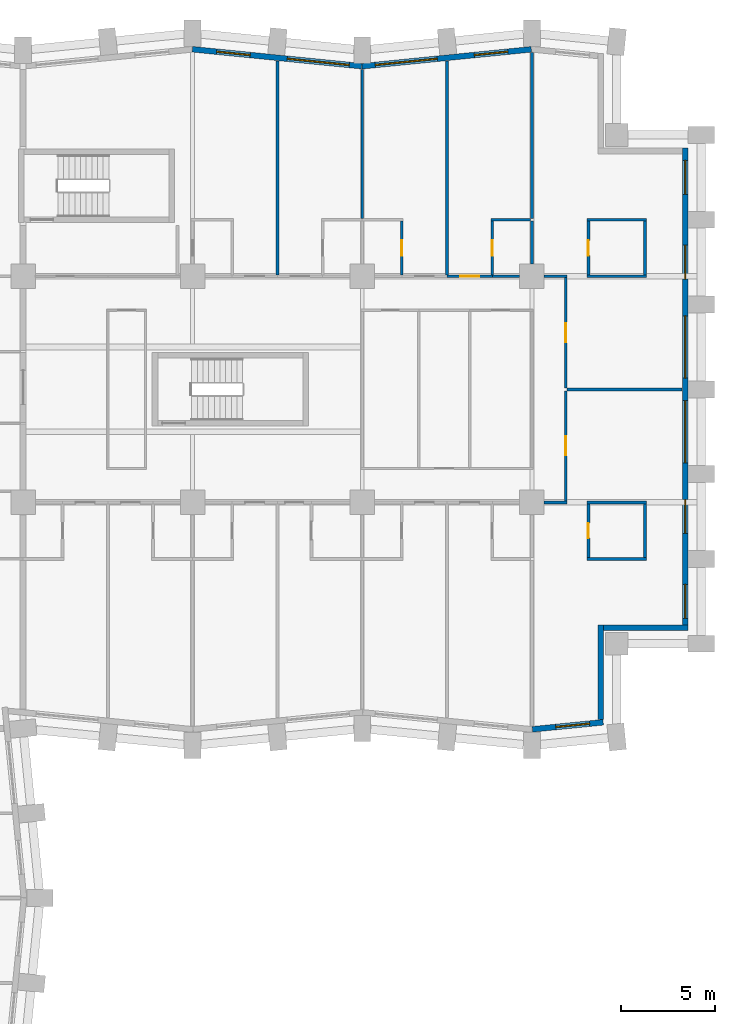
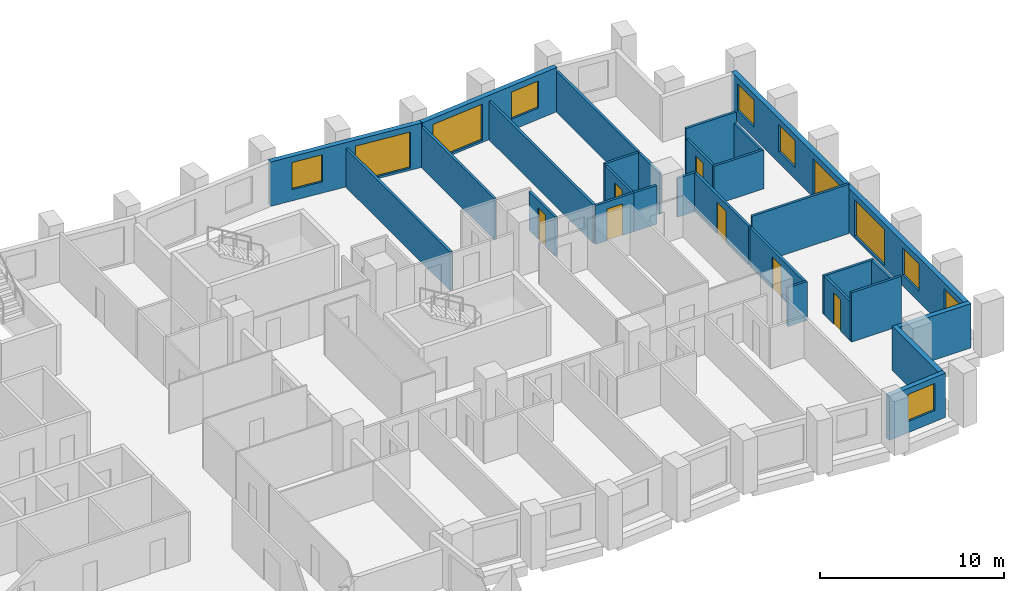
# One storey, part 10 of 13: 29 walls, 11 windows, 7 doors, 18 openings.
"""IFC4 building model written with IfcOpenShell, lengths in metres."""

from ifc_helpers import new_model, si_unit, direction, frame, frame_2d, origin, place, context, subcontext, project, spatial, rectangle, extrude, material, layer, layer_set, type_object, element, fill, save


model = new_model("IFC4")

# Units and contexts
model_context = context("Model", 3, precision=1e-05, world=origin(), true_north=direction((0.0, 1.0)))
body_context = subcontext(model_context, "Body", "Model", "MODEL_VIEW")
ifc_project = project(units=[si_unit("LENGTHUNIT", "METRE"), si_unit("AREAUNIT", "SQUARE_METRE"), si_unit("VOLUMEUNIT", "CUBIC_METRE"), si_unit("PLANEANGLEUNIT", "RADIAN"), si_unit("MASSUNIT", "GRAM", prefix="KILO")], contexts=[model_context])

# Site, building, storey
site_placement = place(None, origin())
site = spatial("IfcSite", under=ifc_project, at=site_placement, CompositionType="ELEMENT")
building_placement = place(site_placement, origin())
building = spatial("IfcBuilding", under=site, at=building_placement, Name="Brondeck Convention Tower", CompositionType="ELEMENT")
storey_placement = place(building_placement, frame((0.0, 0.0, 41.10009765625)))
storey = spatial("IfcBuildingStorey", under=building, at=storey_placement, Name="L07", CompositionType="ELEMENT", Elevation=41.10009765625)

# Wall, opening, window
ifc_material_1 = material(Name="Precast concrete C50/60 bronze finish", Category="concrete")
ifc_layer_1 = layer(ifc_material_1, 0.070068359375, Name="Bronze precast facing")
ifc_material_2 = material(Name="Mineral wool")
ifc_layer_2 = layer(ifc_material_2, 0.159912109375, Name="Insulation")
ifc_material_3 = material(Name="Concrete C35/45", Category="concrete")
ifc_layer_3 = layer(ifc_material_3, 0.070068359375, Name="Backing")
ifc_layer_set_1 = layer_set([ifc_layer_1, ifc_layer_2, ifc_layer_3], Name="External infill wall, precast concrete C50/60 bronze facing")
wall_type_1 = type_object("IfcWallType", Name="External infill wall, precast concrete C50/60 bronze facing", PredefinedType="SOLIDWALL", material=ifc_layer_set_1)
wall_1_placement = place(storey_placement, frame((66.78515625, 27.332763671875, 0.0), z_axis=(0.0, 0.0, 1.0), x_axis=(-0.995038471088, -0.099490909409, 0.0)))
wall_1 = element("IfcWall", 1, at=wall_1_placement, inside=storey, type_object=wall_type_1, Name="ENV-EW-L07-P0-A-S-06", PredefinedType="SOLIDWALL", context=body_context, shape_type="SweptSolid", body=[
    extrude(rectangle(XDim=3.774169921875, YDim=0.300048828125, at=frame_2d((1.88720703125, 0.0))), origin(), (0.0, 0.0, 1.0), 2.949951171875),
])
opening_1_placement = place(wall_1_placement, frame((0.727783203125, 0.0, 0.75)))
opening_1 = element("IfcOpeningElement", 2, at=opening_1_placement, cuts=wall_1, Name="Opening W10", PredefinedType="OPENING", context=body_context, shape_type="SweptSolid", body=[
    extrude(rectangle(XDim=1.800048828125, YDim=1.800048828125, at=frame_2d((0.89990234375, 0.89990234375))), frame((0.0, 0.159912109375, 0.0), z_axis=(0.0, -1.0, 0.0), x_axis=(1.0, 0.0, 0.0)), (0.0, 0.0, 1.0), 0.320068359375),
])
ifc_material_4 = material(Name="Bronze tinted double glazing", Category="glass")
window_type_1 = type_object("IfcWindowType", Name="Punched window, bronze tinted", PartitioningType="SINGLE_PANEL", PredefinedType="WINDOW", material=ifc_material_4)
window_1_placement = place(opening_1_placement, origin())
window_1 = element("IfcWindow", 3, at=window_1_placement, inside=storey, type_object=window_type_1, Name="ENV-WN-L07-P0-A-S-06", OverallHeight=1.800048828125, OverallWidth=1.800048828125, PartitioningType="SINGLE_PANEL", PredefinedType="WINDOW", context=body_context, shape_type="SweptSolid", body=[
    extrude(rectangle(XDim=1.800048828125, YDim=1.800048828125, at=frame_2d((0.89990234375, 0.89990234375))), frame((0.0, 0.030029296875, 0.0), z_axis=(0.0, -1.0, 0.0), x_axis=(1.0, 0.0, 0.0)), (0.0, 0.0, 1.0), 0.06005859375),
])
fill(opening_1, window_1)

# Walls
wall_2_placement = place(storey_placement, frame((66.64990234375, 32.5, 0.0), z_axis=(0.0, 0.0, 1.0), x_axis=(0.0, -1.0, 0.0)))
element("IfcWall", 4, at=wall_2_placement, inside=storey, type_object=wall_type_1, Name="ENV-EW-L07-P0-NC-SEA72-01", PredefinedType="SOLIDWALL", context=body_context, shape_type="SweptSolid", body=[
    extrude(rectangle(XDim=5.02880859375, YDim=0.300048828125, at=frame_2d((2.514404296875, 0.0))), origin(), (0.0, 0.0, 1.0), 2.949951171875),
])
wall_3_placement = place(storey_placement, frame((71.300048828125, 32.35009765625, 0.0), z_axis=(0.0, 0.0, 1.0), x_axis=(-1.0, 0.0, 0.0)))
element("IfcWall", 5, at=wall_3_placement, inside=storey, type_object=wall_type_1, Name="ENV-EW-L07-P0-NC-SEA72-02", PredefinedType="SOLIDWALL", context=body_context, shape_type="SweptSolid", body=[
    extrude(rectangle(XDim=4.5, YDim=0.300048828125, at=frame_2d((2.25, 0.0))), origin(), (0.0, 0.0, 1.0), 2.949951171875),
])

# Wall, openings, windows
wall_4_placement = place(storey_placement, frame((71.14990234375, 57.800048828125, 0.0), z_axis=(0.0, 0.0, 1.0), x_axis=(0.0, -1.0, 0.0)))
wall_4 = element("IfcWall", 6, at=wall_4_placement, inside=storey, type_object=wall_type_1, Name="ENV-EW-L07-P0-A-E72-01", PredefinedType="SOLIDWALL", context=body_context, shape_type="SweptSolid", body=[
    extrude(rectangle(XDim=25.302001953125, YDim=0.300048828125, at=frame_2d((12.65087890625, 0.0))), origin(), (0.0, 0.0, 1.0), 2.949951171875),
])
opening_2_placement = place(wall_4_placement, frame((0.64990234375, 0.0, 0.75)))
opening_2 = element("IfcOpeningElement", 7, at=opening_2_placement, cuts=wall_4, Name="Opening W10", PredefinedType="OPENING", context=body_context, shape_type="SweptSolid", body=[
    extrude(rectangle(XDim=1.800048828125, YDim=1.800048828125, at=frame_2d((0.89990234375, 0.89990234375))), frame((0.0, 0.159912109375, 0.0), z_axis=(0.0, -1.0, 0.0), x_axis=(1.0, 0.0, 0.0)), (0.0, 0.0, 1.0), 0.320068359375),
])
opening_3_placement = place(wall_4_placement, frame((5.14990234375, 0.0, 0.75)))
opening_3 = element("IfcOpeningElement", 8, at=opening_3_placement, cuts=wall_4, Name="Opening W10", PredefinedType="OPENING", context=body_context, shape_type="SweptSolid", body=[
    extrude(rectangle(XDim=1.800048828125, YDim=1.800048828125, at=frame_2d((0.89990234375, 0.89990234375))), frame((0.0, 0.159912109375, 0.0), z_axis=(0.0, -1.0, 0.0), x_axis=(1.0, 0.0, 0.0)), (0.0, 0.0, 1.0), 0.320068359375),
])
opening_4_placement = place(wall_4_placement, frame((8.89990234375, 0.0, 0.14990234375)))
opening_4 = element("IfcOpeningElement", 9, at=opening_4_placement, cuts=wall_4, Name="Opening W9", PredefinedType="OPENING", context=body_context, shape_type="SweptSolid", body=[
    extrude(rectangle(XDim=3.300048828125, YDim=2.39990234375, at=frame_2d((1.64990234375, 1.199951171875))), frame((0.0, 0.159912109375, 0.0), z_axis=(0.0, -1.0, 0.0), x_axis=(1.0, 0.0, 0.0)), (0.0, 0.0, 1.0), 0.320068359375),
])
opening_5_placement = place(wall_4_placement, frame((13.39990234375, 0.0, 0.14990234375)))
opening_5 = element("IfcOpeningElement", 10, at=opening_5_placement, cuts=wall_4, Name="Opening W9", PredefinedType="OPENING", context=body_context, shape_type="SweptSolid", body=[
    extrude(rectangle(XDim=3.300048828125, YDim=2.39990234375, at=frame_2d((1.64990234375, 1.199951171875))), frame((0.0, 0.159912109375, 0.0), z_axis=(0.0, -1.0, 0.0), x_axis=(1.0, 0.0, 0.0)), (0.0, 0.0, 1.0), 0.320068359375),
])
opening_6_placement = place(wall_4_placement, frame((18.64990234375, 0.0, 0.75)))
opening_6 = element("IfcOpeningElement", 11, at=opening_6_placement, cuts=wall_4, Name="Opening W10", PredefinedType="OPENING", context=body_context, shape_type="SweptSolid", body=[
    extrude(rectangle(XDim=1.800048828125, YDim=1.800048828125, at=frame_2d((0.89990234375, 0.89990234375))), frame((0.0, 0.159912109375, 0.0), z_axis=(0.0, -1.0, 0.0), x_axis=(1.0, 0.0, 0.0)), (0.0, 0.0, 1.0), 0.320068359375),
])
opening_7_placement = place(wall_4_placement, frame((23.14990234375, 0.0, 0.75)))
opening_7 = element("IfcOpeningElement", 12, at=opening_7_placement, cuts=wall_4, Name="Opening W10", PredefinedType="OPENING", context=body_context, shape_type="SweptSolid", body=[
    extrude(rectangle(XDim=1.800048828125, YDim=1.800048828125, at=frame_2d((0.89990234375, 0.89990234375))), frame((0.0, 0.159912109375, 0.0), z_axis=(0.0, -1.0, 0.0), x_axis=(1.0, 0.0, 0.0)), (0.0, 0.0, 1.0), 0.320068359375),
])
window_type_2 = type_object("IfcWindowType", Name="Glazed flute window, bronze tinted", PartitioningType="SINGLE_PANEL", PredefinedType="WINDOW", material=ifc_material_4)
window_2_placement = place(opening_4_placement, origin())
window_2 = element("IfcWindow", 13, at=window_2_placement, inside=storey, type_object=window_type_2, Name="ENV-WN-L07-P0-A-E72-04", OverallHeight=2.39990234375, OverallWidth=3.300048828125, PartitioningType="SINGLE_PANEL", PredefinedType="WINDOW", context=body_context, shape_type="SweptSolid", body=[
    extrude(rectangle(XDim=3.300048828125, YDim=2.39990234375, at=frame_2d((1.64990234375, 1.199951171875))), frame((0.0, 0.030029296875, 0.0), z_axis=(0.0, -1.0, 0.0), x_axis=(1.0, 0.0, 0.0)), (0.0, 0.0, 1.0), 0.06005859375),
])
fill(opening_4, window_2)
window_3_placement = place(opening_5_placement, origin())
window_3 = element("IfcWindow", 14, at=window_3_placement, inside=storey, type_object=window_type_2, Name="ENV-WN-L07-P0-A-E72-03", OverallHeight=2.39990234375, OverallWidth=3.300048828125, PartitioningType="SINGLE_PANEL", PredefinedType="WINDOW", context=body_context, shape_type="SweptSolid", body=[
    extrude(rectangle(XDim=3.300048828125, YDim=2.39990234375, at=frame_2d((1.64990234375, 1.199951171875))), frame((0.0, 0.030029296875, 0.0), z_axis=(0.0, -1.0, 0.0), x_axis=(1.0, 0.0, 0.0)), (0.0, 0.0, 1.0), 0.06005859375),
])
fill(opening_5, window_3)
window_4_placement = place(opening_2_placement, origin())
window_4 = element("IfcWindow", 15, at=window_4_placement, inside=storey, type_object=window_type_1, Name="ENV-WN-L07-P0-A-E72-06", OverallHeight=1.800048828125, OverallWidth=1.800048828125, PartitioningType="SINGLE_PANEL", PredefinedType="WINDOW", context=body_context, shape_type="SweptSolid", body=[
    extrude(rectangle(XDim=1.800048828125, YDim=1.800048828125, at=frame_2d((0.89990234375, 0.89990234375))), frame((0.0, 0.030029296875, 0.0), z_axis=(0.0, -1.0, 0.0), x_axis=(1.0, 0.0, 0.0)), (0.0, 0.0, 1.0), 0.06005859375),
])
fill(opening_2, window_4)
window_5_placement = place(opening_3_placement, origin())
window_5 = element("IfcWindow", 16, at=window_5_placement, inside=storey, type_object=window_type_1, Name="ENV-WN-L07-P0-A-E72-05", OverallHeight=1.800048828125, OverallWidth=1.800048828125, PartitioningType="SINGLE_PANEL", PredefinedType="WINDOW", context=body_context, shape_type="SweptSolid", body=[
    extrude(rectangle(XDim=1.800048828125, YDim=1.800048828125, at=frame_2d((0.89990234375, 0.89990234375))), frame((0.0, 0.030029296875, 0.0), z_axis=(0.0, -1.0, 0.0), x_axis=(1.0, 0.0, 0.0)), (0.0, 0.0, 1.0), 0.06005859375),
])
fill(opening_3, window_5)
window_6_placement = place(opening_6_placement, origin())
window_6 = element("IfcWindow", 17, at=window_6_placement, inside=storey, type_object=window_type_1, Name="ENV-WN-L07-P0-A-E72-02", OverallHeight=1.800048828125, OverallWidth=1.800048828125, PartitioningType="SINGLE_PANEL", PredefinedType="WINDOW", context=body_context, shape_type="SweptSolid", body=[
    extrude(rectangle(XDim=1.800048828125, YDim=1.800048828125, at=frame_2d((0.89990234375, 0.89990234375))), frame((0.0, 0.030029296875, 0.0), z_axis=(0.0, -1.0, 0.0), x_axis=(1.0, 0.0, 0.0)), (0.0, 0.0, 1.0), 0.06005859375),
])
fill(opening_6, window_6)
window_7_placement = place(opening_7_placement, origin())
window_7 = element("IfcWindow", 18, at=window_7_placement, inside=storey, type_object=window_type_1, Name="ENV-WN-L07-P0-A-E72-01", OverallHeight=1.800048828125, OverallWidth=1.800048828125, PartitioningType="SINGLE_PANEL", PredefinedType="WINDOW", context=body_context, shape_type="SweptSolid", body=[
    extrude(rectangle(XDim=1.800048828125, YDim=1.800048828125, at=frame_2d((0.89990234375, 0.89990234375))), frame((0.0, 0.030029296875, 0.0), z_axis=(0.0, -1.0, 0.0), x_axis=(1.0, 0.0, 0.0)), (0.0, 0.0, 1.0), 0.06005859375),
])
fill(opening_7, window_7)

wall_5_placement = place(storey_placement, frame((53.985107421875, 62.144287109375, 0.0), z_axis=(0.0, 0.0, 1.0), x_axis=(0.995037993253, 0.099495688264, 0.0)))
wall_5 = element("IfcWall", 19, at=wall_5_placement, inside=storey, type_object=wall_type_1, Name="ENV-EW-L07-P0-A-N-13", PredefinedType="SOLIDWALL", context=body_context, shape_type="SweptSolid", body=[
    extrude(rectangle(XDim=9.030029296875, YDim=0.300048828125, at=frame_2d((4.51513671875, 0.0))), origin(), (0.0, 0.0, 1.0), 2.949951171875),
])
opening_8_placement = place(wall_5_placement, frame((0.711181640625, 0.0, 0.14990234375)))
opening_8 = element("IfcOpeningElement", 20, at=opening_8_placement, cuts=wall_5, Name="Opening W9", PredefinedType="OPENING", context=body_context, shape_type="SweptSolid", body=[
    extrude(rectangle(XDim=3.300048828125, YDim=2.39990234375, at=frame_2d((1.64990234375, 1.199951171875))), frame((0.0, 0.159912109375, 0.0), z_axis=(0.0, -1.0, 0.0), x_axis=(1.0, 0.0, 0.0)), (0.0, 0.0, 1.0), 0.320068359375),
])
opening_9_placement = place(wall_5_placement, frame((5.983642578125, 0.0, 0.75)))
opening_9 = element("IfcOpeningElement", 21, at=opening_9_placement, cuts=wall_5, Name="Opening W10", PredefinedType="OPENING", context=body_context, shape_type="SweptSolid", body=[
    extrude(rectangle(XDim=1.800048828125, YDim=1.800048828125, at=frame_2d((0.89990234375, 0.89990234375))), frame((0.0, 0.159912109375, 0.0), z_axis=(0.0, -1.0, 0.0), x_axis=(1.0, 0.0, 0.0)), (0.0, 0.0, 1.0), 0.320068359375),
])
window_8_placement = place(opening_8_placement, origin())
window_8 = element("IfcWindow", 22, at=window_8_placement, inside=storey, type_object=window_type_2, Name="ENV-WN-L07-P0-A-N-12", OverallHeight=2.39990234375, OverallWidth=3.300048828125, PartitioningType="SINGLE_PANEL", PredefinedType="WINDOW", context=body_context, shape_type="SweptSolid", body=[
    extrude(rectangle(XDim=3.300048828125, YDim=2.39990234375, at=frame_2d((1.64990234375, 1.199951171875))), frame((0.0, 0.030029296875, 0.0), z_axis=(0.0, -1.0, 0.0), x_axis=(1.0, 0.0, 0.0)), (0.0, 0.0, 1.0), 0.06005859375),
])
fill(opening_8, window_8)
window_9_placement = place(opening_9_placement, origin())
window_9 = element("IfcWindow", 23, at=window_9_placement, inside=storey, type_object=window_type_1, Name="ENV-WN-L07-P0-A-N-13", OverallHeight=1.800048828125, OverallWidth=1.800048828125, PartitioningType="SINGLE_PANEL", PredefinedType="WINDOW", context=body_context, shape_type="SweptSolid", body=[
    extrude(rectangle(XDim=1.800048828125, YDim=1.800048828125, at=frame_2d((0.89990234375, 0.89990234375))), frame((0.0, 0.030029296875, 0.0), z_axis=(0.0, -1.0, 0.0), x_axis=(1.0, 0.0, 0.0)), (0.0, 0.0, 1.0), 0.06005859375),
])
fill(opening_9, window_9)

wall_6_placement = place(storey_placement, frame((44.985107421875, 63.04736328125, 0.0), z_axis=(0.0, 0.0, 1.0), x_axis=(0.995035316196, -0.099522457379, 0.0)))
wall_6 = element("IfcWall", 24, at=wall_6_placement, inside=storey, type_object=wall_type_1, Name="ENV-EW-L07-P0-A-N-11", PredefinedType="SOLIDWALL", context=body_context, shape_type="SweptSolid", body=[
    extrude(rectangle(XDim=9.030029296875, YDim=0.300048828125, at=frame_2d((4.51513671875, 0.0))), origin(), (0.0, 0.0, 1.0), 2.949951171875),
])
opening_10_placement = place(wall_6_placement, frame((1.291259765625, 0.0, 0.75)))
opening_10 = element("IfcOpeningElement", 25, at=opening_10_placement, cuts=wall_6, Name="Opening W10", PredefinedType="OPENING", context=body_context, shape_type="SweptSolid", body=[
    extrude(rectangle(XDim=1.800048828125, YDim=1.800048828125, at=frame_2d((0.89990234375, 0.89990234375))), frame((0.0, 0.159912109375, 0.0), z_axis=(0.0, -1.0, 0.0), x_axis=(1.0, 0.0, 0.0)), (0.0, 0.0, 1.0), 0.320068359375),
])
opening_11_placement = place(wall_6_placement, frame((5.063720703125, 0.0, 0.14990234375)))
opening_11 = element("IfcOpeningElement", 26, at=opening_11_placement, cuts=wall_6, Name="Opening W9", PredefinedType="OPENING", context=body_context, shape_type="SweptSolid", body=[
    extrude(rectangle(XDim=3.300048828125, YDim=2.39990234375, at=frame_2d((1.64990234375, 1.199951171875))), frame((0.0, 0.159912109375, 0.0), z_axis=(0.0, -1.0, 0.0), x_axis=(1.0, 0.0, 0.0)), (0.0, 0.0, 1.0), 0.320068359375),
])
window_10_placement = place(opening_11_placement, origin())
window_10 = element("IfcWindow", 27, at=window_10_placement, inside=storey, type_object=window_type_2, Name="ENV-WN-L07-P0-A-N-11", OverallHeight=2.39990234375, OverallWidth=3.300048828125, PartitioningType="SINGLE_PANEL", PredefinedType="WINDOW", context=body_context, shape_type="SweptSolid", body=[
    extrude(rectangle(XDim=3.300048828125, YDim=2.39990234375, at=frame_2d((1.64990234375, 1.199951171875))), frame((0.0, 0.030029296875, 0.0), z_axis=(0.0, -1.0, 0.0), x_axis=(1.0, 0.0, 0.0)), (0.0, 0.0, 1.0), 0.06005859375),
])
fill(opening_11, window_10)
window_11_placement = place(opening_10_placement, origin())
window_11 = element("IfcWindow", 28, at=window_11_placement, inside=storey, type_object=window_type_1, Name="ENV-WN-L07-P0-A-N-10", OverallHeight=1.800048828125, OverallWidth=1.800048828125, PartitioningType="SINGLE_PANEL", PredefinedType="WINDOW", context=body_context, shape_type="SweptSolid", body=[
    extrude(rectangle(XDim=1.800048828125, YDim=1.800048828125, at=frame_2d((0.89990234375, 0.89990234375))), frame((0.0, 0.030029296875, 0.0), z_axis=(0.0, -1.0, 0.0), x_axis=(1.0, 0.0, 0.0)), (0.0, 0.0, 1.0), 0.06005859375),
])
fill(opening_10, window_11)

# Walls
ifc_material_5 = material(Name="Double gypsum board acoustic wall")
ifc_layer_4 = layer(ifc_material_5, 0.14990234375)
ifc_layer_set_2 = layer_set([ifc_layer_4], Name="Guest room party wall 150")
wall_type_2 = type_object("IfcWallType", Name="Guest room party wall 150", PredefinedType="PARTITIONING", material=ifc_layer_set_2)
wall_7_placement = place(storey_placement, frame((65.925048828125, 36.0, 0.0), z_axis=(0.0, 0.0, 1.0), x_axis=(1.0, 0.0, 0.0)))
element("IfcWall", 29, at=wall_7_placement, inside=storey, type_object=wall_type_2, Name="FLR-L07-W072", PredefinedType="PARTITIONING", context=body_context, shape_type="SweptSolid", body=[
    extrude(rectangle(XDim=3.14990234375, YDim=0.14990234375, at=frame_2d((1.574951171875, 0.0))), origin(), (0.0, 0.0, 1.0), 3.27978515625),
])
wall_8_placement = place(storey_placement, frame((69.0, 36.074951171875, 0.0), z_axis=(0.0, 0.0, 1.0), x_axis=(0.0, 1.0, 0.0)))
element("IfcWall", 30, at=wall_8_placement, inside=storey, type_object=wall_type_2, Name="FLR-L07-W076", PredefinedType="PARTITIONING", context=body_context, shape_type="SweptSolid", body=[
    extrude(rectangle(XDim=2.85009765625, YDim=0.14990234375, at=frame_2d((1.425048828125, 0.0))), origin(), (0.0, 0.0, 1.0), 2.579833984375),
])

# Wall, opening, door
wall_9_placement = place(storey_placement, frame((66.0, 38.925048828125, 0.0), z_axis=(0.0, 0.0, 1.0), x_axis=(0.0, -1.0, 0.0)))
wall_9 = element("IfcWall", 31, at=wall_9_placement, inside=storey, type_object=wall_type_2, Name="FLR-L07-W087", PredefinedType="PARTITIONING", context=body_context, shape_type="SweptSolid", body=[
    extrude(rectangle(XDim=2.85009765625, YDim=0.14990234375, at=frame_2d((1.425048828125, 0.0))), origin(), (0.0, 0.0, 1.0), 2.579833984375),
])
opening_12_placement = place(wall_9_placement, frame((1.02490234375, 0.0, 0.0)))
opening_12 = element("IfcOpeningElement", 32, at=opening_12_placement, cuts=wall_9, Name="Opening H1-029", PredefinedType="OPENING", context=body_context, shape_type="SweptSolid", body=[
    extrude(rectangle(XDim=0.800048828125, YDim=2.10009765625, at=frame_2d((0.39990234375, 1.050048828125))), frame((0.0, 0.0849609375, 0.0), z_axis=(0.0, -1.0, 0.0), x_axis=(1.0, 0.0, 0.0)), (0.0, 0.0, 1.0), 0.169921875),
])
ifc_material_6 = material(Name="Solid timber door leaf", Category="wood")
door_type_1 = type_object("IfcDoorType", Name="En-suite door 800", OperationType="NOTDEFINED", PredefinedType="DOOR", material=ifc_material_6)
door_1_placement = place(opening_12_placement, origin())
door_1 = element("IfcDoor", 33, at=door_1_placement, inside=storey, type_object=door_type_1, Name="Door H1-029", OperationType="SINGLE_SWING_RIGHT", OverallHeight=2.10009765625, OverallWidth=0.800048828125, PredefinedType="DOOR", context=body_context, shape_type="SweptSolid", body=[
    extrude(rectangle(XDim=0.800048828125, YDim=2.10009765625, at=frame_2d((0.39990234375, 1.050048828125))), frame((0.0, 0.02490234375, 0.0), z_axis=(0.0, -1.0, 0.0), x_axis=(1.0, 0.0, 0.0)), (0.0, 0.0, 1.0), 0.050048828125),
])
fill(opening_12, door_1)

# Walls
wall_10_placement = place(storey_placement, frame((64.875, 39.0, 0.0), z_axis=(0.0, 0.0, 1.0), x_axis=(-1.0, 0.0, 0.0)))
element("IfcWall", 34, at=wall_10_placement, inside=storey, type_object=wall_type_2, Name="FLR-L07-W100", PredefinedType="PARTITIONING", context=body_context, shape_type="SweptSolid", body=[
    extrude(rectangle(XDim=1.219970703125, YDim=0.14990234375, at=frame_2d((0.60986328125, 0.0))), origin(), (0.0, 0.0, 1.0), 2.579833984375),
])
wall_11_placement = place(storey_placement, frame((69.074951171875, 39.0, 0.0), z_axis=(0.0, 0.0, 1.0), x_axis=(-1.0, 0.0, 0.0)))
element("IfcWall", 35, at=wall_11_placement, inside=storey, type_object=wall_type_2, Name="FLR-L07-W101", PredefinedType="PARTITIONING", context=body_context, shape_type="SweptSolid", body=[
    extrude(rectangle(XDim=3.14990234375, YDim=0.14990234375, at=frame_2d((1.574951171875, 0.0))), origin(), (0.0, 0.0, 1.0), 2.579833984375),
])

# Wall, opening, door
wall_12_placement = place(storey_placement, frame((64.800048828125, 44.925048828125, 0.0), z_axis=(0.0, 0.0, 1.0), x_axis=(0.0, -1.0, 0.0)))
wall_12 = element("IfcWall", 36, at=wall_12_placement, inside=storey, type_object=wall_type_2, Name="FLR-L07-W112", PredefinedType="PARTITIONING", context=body_context, shape_type="SweptSolid", body=[
    extrude(rectangle(XDim=5.85009765625, YDim=0.14990234375, at=frame_2d((2.925048828125, 0.0))), origin(), (0.0, 0.0, 1.0), 2.579833984375),
])
opening_13_placement = place(wall_12_placement, frame((2.425048828125, 0.0, 0.0)))
opening_13 = element("IfcOpeningElement", 37, at=opening_13_placement, cuts=wall_12, Name="Opening H1-028", PredefinedType="OPENING", context=body_context, shape_type="SweptSolid", body=[
    extrude(rectangle(XDim=1.0, YDim=2.10009765625, at=frame_2d((0.5, 1.050048828125))), frame((0.0, 0.0849609375, 0.0), z_axis=(0.0, -1.0, 0.0), x_axis=(1.0, 0.0, 0.0)), (0.0, 0.0, 1.0), 0.169921875),
])
ifc_material_7 = material(Name="Solid timber fire door leaf", Category="wood")
door_type_2 = type_object("IfcDoorType", Name="Guest room door 1000", OperationType="NOTDEFINED", PredefinedType="DOOR", material=ifc_material_7)
door_2_placement = place(opening_13_placement, origin())
door_2 = element("IfcDoor", 38, at=door_2_placement, inside=storey, type_object=door_type_2, Name="Door H1-028", OperationType="SINGLE_SWING_LEFT", OverallHeight=2.10009765625, OverallWidth=1.0, PredefinedType="DOOR", context=body_context, shape_type="SweptSolid", body=[
    extrude(rectangle(XDim=1.0, YDim=2.10009765625, at=frame_2d((0.5, 1.050048828125))), frame((0.0, 0.02490234375, 0.0), z_axis=(0.0, -1.0, 0.0), x_axis=(1.0, 0.0, 0.0)), (0.0, 0.0, 1.0), 0.050048828125),
])
fill(opening_13, door_2)

# Wall
wall_13_placement = place(storey_placement, frame((70.97998046875, 45.0, 0.0), z_axis=(0.0, 0.0, 1.0), x_axis=(-1.0, 0.0, 0.0)))
element("IfcWall", 39, at=wall_13_placement, inside=storey, type_object=wall_type_2, Name="FLR-L07-W113", PredefinedType="PARTITIONING", context=body_context, shape_type="SweptSolid", body=[
    extrude(rectangle(XDim=6.10498046875, YDim=0.14990234375, at=frame_2d((3.052490234375, 0.0))), origin(), (0.0, 0.0, 1.0), 3.27978515625),
])

# Wall, opening, door
wall_14_placement = place(storey_placement, frame((64.800048828125, 50.925048828125, 0.0), z_axis=(0.0, 0.0, 1.0), x_axis=(0.0, -1.0, 0.0)))
wall_14 = element("IfcWall", 40, at=wall_14_placement, inside=storey, type_object=wall_type_2, Name="FLR-L07-W128", PredefinedType="PARTITIONING", context=body_context, shape_type="SweptSolid", body=[
    extrude(rectangle(XDim=5.85009765625, YDim=0.14990234375, at=frame_2d((2.925048828125, 0.0))), origin(), (0.0, 0.0, 1.0), 2.579833984375),
])
opening_14_placement = place(wall_14_placement, frame((2.425048828125, 0.0, 0.0)))
opening_14 = element("IfcOpeningElement", 41, at=opening_14_placement, cuts=wall_14, Name="Opening H1-026", PredefinedType="OPENING", context=body_context, shape_type="SweptSolid", body=[
    extrude(rectangle(XDim=1.0, YDim=2.10009765625, at=frame_2d((0.5, 1.050048828125))), frame((0.0, 0.0849609375, 0.0), z_axis=(0.0, -1.0, 0.0), x_axis=(1.0, 0.0, 0.0)), (0.0, 0.0, 1.0), 0.169921875),
])
door_3_placement = place(opening_14_placement, origin())
door_3 = element("IfcDoor", 42, at=door_3_placement, inside=storey, type_object=door_type_2, Name="Door H1-026", OperationType="SINGLE_SWING_LEFT", OverallHeight=2.10009765625, OverallWidth=1.0, PredefinedType="DOOR", context=body_context, shape_type="SweptSolid", body=[
    extrude(rectangle(XDim=1.0, YDim=2.10009765625, at=frame_2d((0.5, 1.050048828125))), frame((0.0, 0.02490234375, 0.0), z_axis=(0.0, -1.0, 0.0), x_axis=(1.0, 0.0, 0.0)), (0.0, 0.0, 1.0), 0.050048828125),
])
fill(opening_14, door_3)

wall_15_placement = place(storey_placement, frame((58.5, 51.0, 0.0), z_axis=(0.0, 0.0, 1.0), x_axis=(1.0, 0.0, 0.0)))
wall_15 = element("IfcWall", 43, at=wall_15_placement, inside=storey, type_object=wall_type_2, Name="FLR-L07-W139", PredefinedType="PARTITIONING", context=body_context, shape_type="SweptSolid", body=[
    extrude(rectangle(XDim=2.39990234375, YDim=0.14990234375, at=frame_2d((1.199951171875, 0.0))), origin(), (0.0, 0.0, 1.0), 2.579833984375),
])
opening_15_placement = place(wall_15_placement, frame((0.699951171875, 0.0, 0.0)))
opening_15 = element("IfcOpeningElement", 44, at=opening_15_placement, cuts=wall_15, Name="Opening H1-008", PredefinedType="OPENING", context=body_context, shape_type="SweptSolid", body=[
    extrude(rectangle(XDim=1.0, YDim=2.10009765625, at=frame_2d((0.5, 1.050048828125))), frame((0.0, 0.0849609375, 0.0), z_axis=(0.0, -1.0, 0.0), x_axis=(1.0, 0.0, 0.0)), (0.0, 0.0, 1.0), 0.169921875),
])
door_4_placement = place(opening_15_placement, origin())
door_4 = element("IfcDoor", 45, at=door_4_placement, inside=storey, type_object=door_type_2, Name="Door H1-008", OperationType="SINGLE_SWING_LEFT", OverallHeight=2.10009765625, OverallWidth=1.0, PredefinedType="DOOR", context=body_context, shape_type="SweptSolid", body=[
    extrude(rectangle(XDim=1.0, YDim=2.10009765625, at=frame_2d((0.5, 1.050048828125))), frame((0.0, 0.02490234375, 0.0), z_axis=(0.0, -1.0, 0.0), x_axis=(1.0, 0.0, 0.0)), (0.0, 0.0, 1.0), 0.050048828125),
])
fill(opening_15, door_4)

# Walls
wall_16_placement = place(storey_placement, frame((60.89990234375, 51.0, 0.0), z_axis=(0.0, 0.0, 1.0), x_axis=(1.0, 0.0, 0.0)))
element("IfcWall", 46, at=wall_16_placement, inside=storey, type_object=wall_type_2, Name="FLR-L07-W140", PredefinedType="PARTITIONING", context=body_context, shape_type="SweptSolid", body=[
    extrude(rectangle(XDim=1.445068359375, YDim=0.14990234375, at=frame_2d((0.72265625, 0.0))), origin(), (0.0, 0.0, 1.0), 2.579833984375),
])
wall_17_placement = place(storey_placement, frame((63.655029296875, 51.0, 0.0), z_axis=(0.0, 0.0, 1.0), x_axis=(1.0, 0.0, 0.0)))
element("IfcWall", 47, at=wall_17_placement, inside=storey, type_object=wall_type_2, Name="FLR-L07-W141", PredefinedType="PARTITIONING", context=body_context, shape_type="SweptSolid", body=[
    extrude(rectangle(XDim=1.219970703125, YDim=0.14990234375, at=frame_2d((0.60986328125, 0.0))), origin(), (0.0, 0.0, 1.0), 2.579833984375),
])
wall_18_placement = place(storey_placement, frame((65.925048828125, 51.0, 0.0), z_axis=(0.0, 0.0, 1.0), x_axis=(1.0, 0.0, 0.0)))
element("IfcWall", 48, at=wall_18_placement, inside=storey, type_object=wall_type_2, Name="FLR-L07-W142", PredefinedType="PARTITIONING", context=body_context, shape_type="SweptSolid", body=[
    extrude(rectangle(XDim=3.14990234375, YDim=0.14990234375, at=frame_2d((1.574951171875, 0.0))), origin(), (0.0, 0.0, 1.0), 2.579833984375),
])

# Wall, opening, door
wall_19_placement = place(storey_placement, frame((56.10009765625, 51.074951171875, 0.0), z_axis=(0.0, 0.0, 1.0), x_axis=(0.0, 1.0, 0.0)))
wall_19 = element("IfcWall", 49, at=wall_19_placement, inside=storey, type_object=wall_type_2, Name="FLR-L07-W145", PredefinedType="PARTITIONING", context=body_context, shape_type="SweptSolid", body=[
    extrude(rectangle(XDim=2.85009765625, YDim=0.14990234375, at=frame_2d((1.425048828125, 0.0))), origin(), (0.0, 0.0, 1.0), 2.579833984375),
])
opening_16_placement = place(wall_19_placement, frame((1.02490234375, 0.0, 0.0)))
opening_16 = element("IfcOpeningElement", 50, at=opening_16_placement, cuts=wall_19, Name="Opening H1-007", PredefinedType="OPENING", context=body_context, shape_type="SweptSolid", body=[
    extrude(rectangle(XDim=0.800048828125, YDim=2.10009765625, at=frame_2d((0.39990234375, 1.050048828125))), frame((0.0, 0.0849609375, 0.0), z_axis=(0.0, -1.0, 0.0), x_axis=(1.0, 0.0, 0.0)), (0.0, 0.0, 1.0), 0.169921875),
])
door_5_placement = place(opening_16_placement, origin())
door_5 = element("IfcDoor", 51, at=door_5_placement, inside=storey, type_object=door_type_1, Name="Door H1-007", OperationType="SINGLE_SWING_LEFT", OverallHeight=2.10009765625, OverallWidth=0.800048828125, PredefinedType="DOOR", context=body_context, shape_type="SweptSolid", body=[
    extrude(rectangle(XDim=0.800048828125, YDim=2.10009765625, at=frame_2d((0.39990234375, 1.050048828125))), frame((0.0, 0.02490234375, 0.0), z_axis=(0.0, -1.0, 0.0), x_axis=(1.0, 0.0, 0.0)), (0.0, 0.0, 1.0), 0.050048828125),
])
fill(opening_16, door_5)

# Wall
wall_20_placement = place(storey_placement, frame((69.0, 51.074951171875, 0.0), z_axis=(0.0, 0.0, 1.0), x_axis=(0.0, 1.0, 0.0)))
element("IfcWall", 52, at=wall_20_placement, inside=storey, type_object=wall_type_2, Name="FLR-L07-W146", PredefinedType="PARTITIONING", context=body_context, shape_type="SweptSolid", body=[
    extrude(rectangle(XDim=2.85009765625, YDim=0.14990234375, at=frame_2d((1.425048828125, 0.0))), origin(), (0.0, 0.0, 1.0), 2.579833984375),
])

# Wall, opening, door
wall_21_placement = place(storey_placement, frame((60.89990234375, 53.925048828125, 0.0), z_axis=(0.0, 0.0, 1.0), x_axis=(0.0, -1.0, 0.0)))
wall_21 = element("IfcWall", 53, at=wall_21_placement, inside=storey, type_object=wall_type_2, Name="FLR-L07-W153", PredefinedType="PARTITIONING", context=body_context, shape_type="SweptSolid", body=[
    extrude(rectangle(XDim=2.85009765625, YDim=0.14990234375, at=frame_2d((1.425048828125, 0.0))), origin(), (0.0, 0.0, 1.0), 2.579833984375),
])
opening_17_placement = place(wall_21_placement, frame((1.02490234375, 0.0, 0.0)))
opening_17 = element("IfcOpeningElement", 54, at=opening_17_placement, cuts=wall_21, Name="Opening H1-009", PredefinedType="OPENING", context=body_context, shape_type="SweptSolid", body=[
    extrude(rectangle(XDim=0.800048828125, YDim=2.10009765625, at=frame_2d((0.39990234375, 1.050048828125))), frame((0.0, 0.0849609375, 0.0), z_axis=(0.0, -1.0, 0.0), x_axis=(1.0, 0.0, 0.0)), (0.0, 0.0, 1.0), 0.169921875),
])
door_6_placement = place(opening_17_placement, origin())
door_6 = element("IfcDoor", 55, at=door_6_placement, inside=storey, type_object=door_type_1, Name="Door H1-009", OperationType="SINGLE_SWING_LEFT", OverallHeight=2.10009765625, OverallWidth=0.800048828125, PredefinedType="DOOR", context=body_context, shape_type="SweptSolid", body=[
    extrude(rectangle(XDim=0.800048828125, YDim=2.10009765625, at=frame_2d((0.39990234375, 1.050048828125))), frame((0.0, 0.02490234375, 0.0), z_axis=(0.0, -1.0, 0.0), x_axis=(1.0, 0.0, 0.0)), (0.0, 0.0, 1.0), 0.050048828125),
])
fill(opening_17, door_6)

# Wall
wall_22_placement = place(storey_placement, frame((63.0, 53.925048828125, 0.0), z_axis=(0.0, 0.0, 1.0), x_axis=(0.0, -1.0, 0.0)))
element("IfcWall", 56, at=wall_22_placement, inside=storey, type_object=wall_type_2, Name="FLR-L07-W154", PredefinedType="PARTITIONING", context=body_context, shape_type="SweptSolid", body=[
    extrude(rectangle(XDim=2.27001953125, YDim=0.14990234375, at=frame_2d((1.135009765625, 0.0))), origin(), (0.0, 0.0, 1.0), 2.72998046875),
])

# Wall, opening, door
wall_23_placement = place(storey_placement, frame((66.0, 53.925048828125, 0.0), z_axis=(0.0, 0.0, 1.0), x_axis=(0.0, -1.0, 0.0)))
wall_23 = element("IfcWall", 57, at=wall_23_placement, inside=storey, type_object=wall_type_2, Name="FLR-L07-W155", PredefinedType="PARTITIONING", context=body_context, shape_type="SweptSolid", body=[
    extrude(rectangle(XDim=2.85009765625, YDim=0.14990234375, at=frame_2d((1.425048828125, 0.0))), origin(), (0.0, 0.0, 1.0), 2.579833984375),
])
opening_18_placement = place(wall_23_placement, frame((1.02490234375, 0.0, 0.0)))
opening_18 = element("IfcOpeningElement", 58, at=opening_18_placement, cuts=wall_23, Name="Opening H1-027", PredefinedType="OPENING", context=body_context, shape_type="SweptSolid", body=[
    extrude(rectangle(XDim=0.800048828125, YDim=2.10009765625, at=frame_2d((0.39990234375, 1.050048828125))), frame((0.0, 0.0849609375, 0.0), z_axis=(0.0, -1.0, 0.0), x_axis=(1.0, 0.0, 0.0)), (0.0, 0.0, 1.0), 0.169921875),
])
door_7_placement = place(opening_18_placement, origin())
door_7 = element("IfcDoor", 59, at=door_7_placement, inside=storey, type_object=door_type_1, Name="Door H1-027", OperationType="SINGLE_SWING_RIGHT", OverallHeight=2.10009765625, OverallWidth=0.800048828125, PredefinedType="DOOR", context=body_context, shape_type="SweptSolid", body=[
    extrude(rectangle(XDim=0.800048828125, YDim=2.10009765625, at=frame_2d((0.39990234375, 1.050048828125))), frame((0.0, 0.02490234375, 0.0), z_axis=(0.0, -1.0, 0.0), x_axis=(1.0, 0.0, 0.0)), (0.0, 0.0, 1.0), 0.050048828125),
])
fill(opening_18, door_7)

# Walls
wall_24_placement = place(storey_placement, frame((62.925048828125, 54.0, 0.0), z_axis=(0.0, 0.0, 1.0), x_axis=(-1.0, 0.0, 0.0)))
element("IfcWall", 60, at=wall_24_placement, inside=storey, type_object=wall_type_2, Name="FLR-L07-W160", PredefinedType="PARTITIONING", context=body_context, shape_type="SweptSolid", body=[
    extrude(rectangle(XDim=2.10009765625, YDim=0.14990234375, at=frame_2d((1.050048828125, 0.0))), origin(), (0.0, 0.0, 1.0), 2.72998046875),
])
wall_25_placement = place(storey_placement, frame((69.074951171875, 54.0, 0.0), z_axis=(0.0, 0.0, 1.0), x_axis=(-1.0, 0.0, 0.0)))
element("IfcWall", 61, at=wall_25_placement, inside=storey, type_object=wall_type_2, Name="FLR-L07-W161", PredefinedType="PARTITIONING", context=body_context, shape_type="SweptSolid", body=[
    extrude(rectangle(XDim=3.14990234375, YDim=0.14990234375, at=frame_2d((1.574951171875, 0.0))), origin(), (0.0, 0.0, 1.0), 3.27978515625),
])
wall_26_placement = place(storey_placement, frame((54.0, 61.97509765625, 0.0), z_axis=(0.0, 0.0, 1.0), x_axis=(0.0, -1.0, 0.0)))
element("IfcWall", 62, at=wall_26_placement, inside=storey, type_object=wall_type_2, Name="FLR-L07-W163", PredefinedType="PARTITIONING", context=body_context, shape_type="SweptSolid", body=[
    extrude(rectangle(XDim=7.900146484375, YDim=0.14990234375, at=frame_2d((3.9501953125, 0.0))), origin(), (0.0, 0.0, 1.0), 2.72998046875),
])
for number, where, z_axis, x_axis, name in (
    (63, (49.5, 62.425048828125, 0.0), (0.0, 0.0, 1.0), (0.0, -1.0, 0.0), "FLR-L07-W165"),
    (64, (58.5, 62.425048828125, 0.0), (0.0, 0.0, 1.0), (0.0, -1.0, 0.0), "FLR-L07-W166"),
):
    element("IfcWall", number, at=place(storey_placement, frame(where, z_axis=z_axis, x_axis=x_axis)), inside=storey, type_object=wall_type_2, Name=name, PredefinedType="PARTITIONING", context=body_context, shape_type="SweptSolid", body=[
        extrude(rectangle(XDim=11.35009765625, YDim=0.14990234375, at=frame_2d((5.675048828125, 0.0))), origin(), (0.0, 0.0, 1.0), 2.579833984375),
    ])
wall_27_placement = place(storey_placement, frame((63.0, 62.875, 0.0), z_axis=(0.0, 0.0, 1.0), x_axis=(0.0, -1.0, 0.0)))
element("IfcWall", 65, at=wall_27_placement, inside=storey, type_object=wall_type_2, Name="FLR-L07-W167", PredefinedType="PARTITIONING", context=body_context, shape_type="SweptSolid", body=[
    extrude(rectangle(XDim=8.800048828125, YDim=0.14990234375, at=frame_2d((4.39990234375, 0.0))), origin(), (0.0, 0.0, 1.0), 2.72998046875),
])

save(model, "model.ifc")
